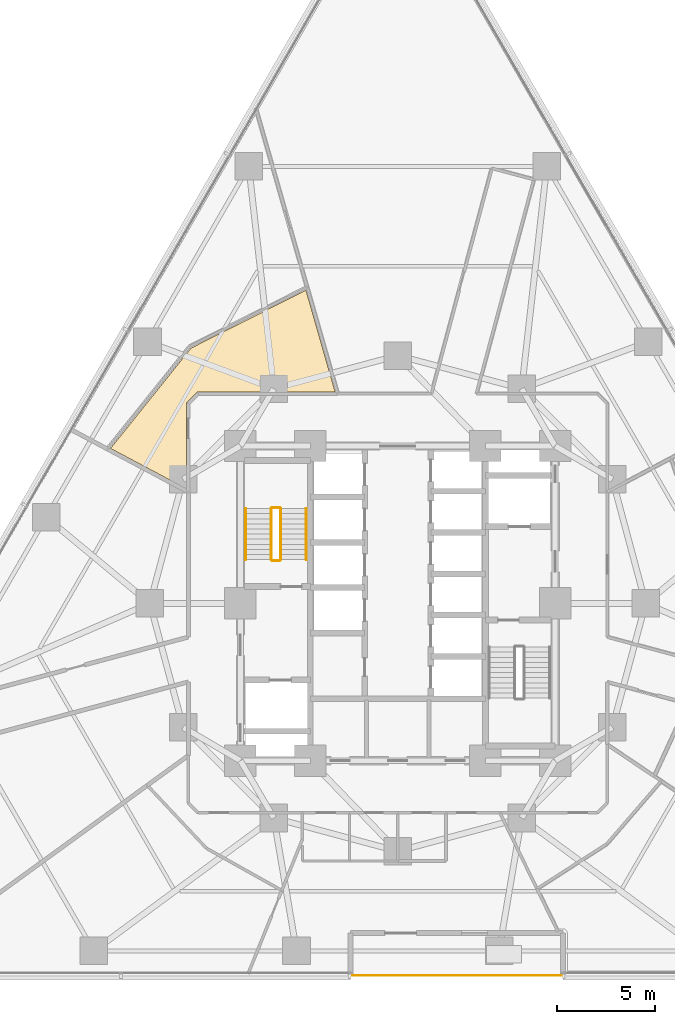
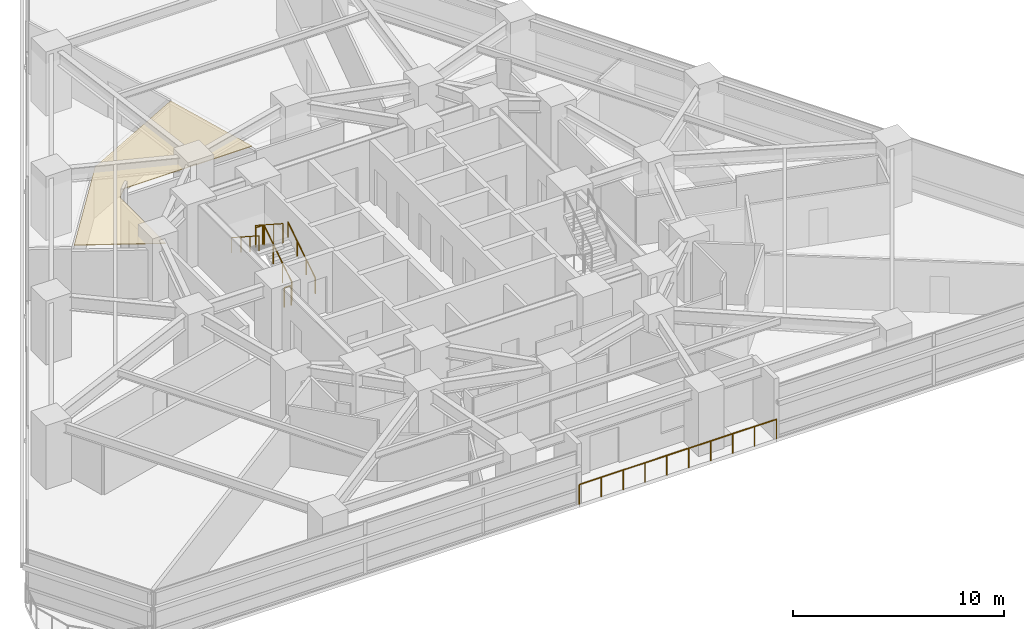
# One storey, part 14 of 16: 7 railings, 1 covering.
"""IFC4 building model written with IfcOpenShell, lengths in metres."""

from ifc_helpers import new_model, si_unit, direction, frame, origin, origin_2d, place, context, subcontext, project, spatial, polyline, circle, outline, extrude, material, layer, layer_set, type_object, element, save


model = new_model("IFC4")

# Units and contexts
model_context = context("Model", 3, precision=1e-05, world=origin(), true_north=direction((0.0, 1.0)))
body_context = subcontext(model_context, "Body", "Model", "MODEL_VIEW")
ifc_project = project(units=[si_unit("LENGTHUNIT", "METRE"), si_unit("AREAUNIT", "SQUARE_METRE"), si_unit("VOLUMEUNIT", "CUBIC_METRE"), si_unit("PLANEANGLEUNIT", "RADIAN"), si_unit("MASSUNIT", "GRAM", prefix="KILO")], contexts=[model_context])

# Site, building, storey
site_placement = place(None, origin())
site = spatial("IfcSite", under=ifc_project, at=site_placement, CompositionType="ELEMENT")
building_placement = place(site_placement, origin())
building = spatial("IfcBuilding", under=site, at=building_placement, Name="Terralouvre Media Tower", CompositionType="ELEMENT")
storey_placement = place(building_placement, frame((0.0, 0.0, 44.5)))
storey = spatial("IfcBuildingStorey", under=building, at=storey_placement, Name="L10", CompositionType="ELEMENT", Elevation=44.5)

# Covering
ifc_material_1 = material(Name="Perforated aluminium acoustic ceiling baffle", Category="aluminium")
ifc_layer_1 = layer(ifc_material_1, 0.0400390625, Name="Perforated Acoustic Metal Tile Ceiling CL-AC1")
ifc_layer_set_1 = layer_set([ifc_layer_1], Name="Perforated aluminium acoustic ceiling baffle")
covering_type = type_object("IfcCoveringType", Name="Perforated Acoustic Metal Tile Ceiling CL-AC1", PredefinedType="CEILING", material=ifc_layer_set_1)
covering_placement = place(storey_placement, frame((0.0, 0.0, 2.97998046875)))
element("IfcCovering", 1, at=covering_placement, inside=storey, type_object=covering_type, Name="L10 Technical Operations Control Room 12 Acoustic Ceiling", PredefinedType="CEILING", context=body_context, shape_type="SweptSolid", body=[
    extrude(outline(polyline([(-10.508544921875, 12.9765625), (-14.601318359375, 7.876708984375), (-10.75, 5.829345703125), (-10.75, 10.14990234375), (-10.74951171875, 10.159912109375), (-10.748046875, 10.16943359375), (-10.74560546875, 10.178955078125), (-10.742431640625, 10.188232421875), (-10.73828125, 10.197021484375), (-10.733154296875, 10.20556640625), (-10.727294921875, 10.21337890625), (-10.720703125, 10.220703125), (-10.220703125, 10.720703125), (-10.21337890625, 10.727294921875), (-10.20556640625, 10.733154296875), (-10.197021484375, 10.73828125), (-10.188232421875, 10.742431640625), (-10.178955078125, 10.74560546875), (-10.16943359375, 10.748046875), (-10.159912109375, 10.74951171875), (-10.14990234375, 10.75), (-3.186767578125, 10.75), (-4.668701171875, 15.91943359375), (-10.508544921875, 12.9765625)])), origin(), (0.0, 0.0, 1.0), 0.0400390625),
])

# Railings
ifc_material_2 = material(Name="Stainless steel 316 handrail and balustrade", Category="steel")
ifc_layer_2 = layer(ifc_material_2, 0.06005859375, Name="Roof Edge Safety Guardrail GR-ROOF1")
ifc_layer_set_2 = layer_set([ifc_layer_2], Name="Stainless steel 316 handrail and balustrade")
railing_type_1 = type_object("IfcRailingType", Name="Roof Edge Safety Guardrail GR-ROOF1", PredefinedType="GUARDRAIL", material=ifc_layer_set_2)
railing_1_placement = place(storey_placement, frame((-2.39990234375, -18.916748046875, 0.0)))
element("IfcRailing", 2, at=railing_1_placement, inside=storey, type_object=railing_type_1, Name="L10 SG Outer Edge Glass Balustrade", PredefinedType="GUARDRAIL", context=body_context, shape_type="SweptSolid", body=[
    extrude(circle(Radius=0.02392578125, at=origin_2d()), frame((0.0, 0.0, 1.1259765625), z_axis=(1.0, 0.0, 0.0), x_axis=(0.0, 1.0, 0.0)), (0.0, 0.0, 1.0), 10.7998046875),
    extrude(circle(Radius=0.02099609375, at=origin_2d()), origin(), (0.0, 0.0, 1.0), 1.101806640625),
    extrude(circle(Radius=0.02099609375, at=origin_2d()), frame((1.199951171875, 0.0, 0.0)), (0.0, 0.0, 1.0), 1.101806640625),
    extrude(circle(Radius=0.02099609375, at=origin_2d()), frame((2.39990234375, 0.0, 0.0)), (0.0, 0.0, 1.0), 1.101806640625),
    extrude(circle(Radius=0.02099609375, at=origin_2d()), frame((3.599853515625, 0.0, 0.0)), (0.0, 0.0, 1.0), 1.101806640625),
    extrude(circle(Radius=0.02099609375, at=origin_2d()), frame((4.7998046875, 0.0, 0.0)), (0.0, 0.0, 1.0), 1.101806640625),
    extrude(circle(Radius=0.02099609375, at=origin_2d()), frame((6.0, 0.0, 0.0)), (0.0, 0.0, 1.0), 1.101806640625),
    extrude(circle(Radius=0.02099609375, at=origin_2d()), frame((7.199951171875, 0.0, 0.0)), (0.0, 0.0, 1.0), 1.101806640625),
    extrude(circle(Radius=0.02099609375, at=origin_2d()), frame((8.39990234375, 0.0, 0.0)), (0.0, 0.0, 1.0), 1.101806640625),
    extrude(circle(Radius=0.02099609375, at=origin_2d()), frame((9.599853515625, 0.0, 0.0)), (0.0, 0.0, 1.0), 1.101806640625),
    extrude(circle(Radius=0.02099609375, at=origin_2d()), frame((10.7998046875, 0.0, 0.0)), (0.0, 0.0, 1.0), 1.101806640625),
])
ifc_material_3 = material(Name="Stainless steel 316 handrail and balustrade", Category="steel")
ifc_layer_3 = layer(ifc_material_3, 0.050048828125, Name="Stair Flight Wall Handrail HR-INT1")
ifc_layer_set_3 = layer_set([ifc_layer_3], Name="Stainless steel 316 handrail and balustrade")
railing_type_2 = type_object("IfcRailingType", Name="Stair Flight Wall Handrail HR-INT1", PredefinedType="HANDRAIL", material=ifc_layer_set_3)
railing_2_placement = place(storey_placement, frame((-4.64990234375, 2.219970703125, 0.168212890625)))
element("IfcRailing", 3, at=railing_2_placement, inside=storey, type_object=railing_type_2, Name="L10 ST-01 stair handrail 1", PredefinedType="HANDRAIL", context=body_context, shape_type="SweptSolid", body=[
    extrude(circle(Radius=0.02392578125, at=origin_2d()), frame((0.0, 0.0, 0.8759765625), z_axis=(0.0, 0.839648411786, 0.543130320075), x_axis=(-1.0, 0.0, 0.0)), (0.0, 0.0, 1.0), 3.0966796875),
    extrude(circle(Radius=0.02099609375, at=origin_2d()), origin(), (0.0, 0.0, 1.0), 0.851806640625),
    extrude(circle(Radius=0.02099609375, at=origin_2d()), frame((0.0, 0.86669921875, 0.560546875)), (0.0, 0.0, 1.0), 0.851806640625),
    extrude(circle(Radius=0.02099609375, at=origin_2d()), frame((0.0, 1.7333984375, 1.121337890625)), (0.0, 0.0, 1.0), 0.851806640625),
    extrude(circle(Radius=0.02099609375, at=origin_2d()), frame((0.0, 2.60009765625, 1.681884765625)), (0.0, 0.0, 1.0), 0.851806640625),
])
railing_3_placement = place(storey_placement, frame((-7.72998046875, 4.820068359375, 2.01806640625)))
element("IfcRailing", 4, at=railing_3_placement, inside=storey, type_object=railing_type_2, Name="L10 ST-01 stair handrail 2", PredefinedType="HANDRAIL", context=body_context, shape_type="SweptSolid", body=[
    extrude(circle(Radius=0.02392578125, at=origin_2d()), frame((0.0, 0.0, 0.8759765625), z_axis=(0.0, -0.839648411786, 0.543130320075), x_axis=(1.0, 0.0, 0.0)), (0.0, 0.0, 1.0), 3.0966796875),
    extrude(circle(Radius=0.02099609375, at=origin_2d()), origin(), (0.0, 0.0, 1.0), 0.851806640625),
    extrude(circle(Radius=0.02099609375, at=origin_2d()), frame((0.0, -0.86669921875, 0.560546875)), (0.0, 0.0, 1.0), 0.851806640625),
    extrude(circle(Radius=0.02099609375, at=origin_2d()), frame((0.0, -1.7333984375, 1.121337890625)), (0.0, 0.0, 1.0), 0.851806640625),
    extrude(circle(Radius=0.02099609375, at=origin_2d()), frame((0.0, -2.60009765625, 1.681884765625)), (0.0, 0.0, 1.0), 0.851806640625),
])
ifc_material_4 = material(Name="Stainless steel 316 handrail and balustrade", Category="steel")
ifc_layer_4 = layer(ifc_material_4, 0.050048828125, Name="Stairwell Safety Guardrail GR-INT1")
ifc_layer_set_4 = layer_set([ifc_layer_4], Name="Stainless steel 316 handrail and balustrade")
railing_type_3 = type_object("IfcRailingType", Name="Stairwell Safety Guardrail GR-INT1", PredefinedType="GUARDRAIL", material=ifc_layer_set_4)
railing_4_placement = place(storey_placement, frame((-5.949951171875, 2.219970703125, 0.168212890625)))
element("IfcRailing", 5, at=railing_4_placement, inside=storey, type_object=railing_type_3, Name="L10 ST-01 stair guard 1", PredefinedType="GUARDRAIL", context=body_context, shape_type="SweptSolid", body=[
    extrude(circle(Radius=0.02392578125, at=origin_2d()), frame((0.0, 0.0, 1.1259765625), z_axis=(0.0, 0.839648411786, 0.543130320075), x_axis=(-1.0, 0.0, 0.0)), (0.0, 0.0, 1.0), 3.0966796875),
    extrude(circle(Radius=0.02099609375, at=origin_2d()), origin(), (0.0, 0.0, 1.0), 1.101806640625),
    extrude(circle(Radius=0.02099609375, at=origin_2d()), frame((0.0, 0.86669921875, 0.560546875)), (0.0, 0.0, 1.0), 1.101806640625),
    extrude(circle(Radius=0.02099609375, at=origin_2d()), frame((0.0, 1.7333984375, 1.121337890625)), (0.0, 0.0, 1.0), 1.101806640625),
    extrude(circle(Radius=0.02099609375, at=origin_2d()), frame((0.0, 2.60009765625, 1.681884765625)), (0.0, 0.0, 1.0), 1.101806640625),
])
railing_5_placement = place(storey_placement, frame((-6.0, 4.8701171875, 1.85009765625)))
element("IfcRailing", 6, at=railing_5_placement, inside=storey, type_object=railing_type_3, Name="L10 ST-01 stair guard 2", PredefinedType="GUARDRAIL", context=body_context, shape_type="SweptSolid", body=[
    extrude(circle(Radius=0.02392578125, at=origin_2d()), frame((0.0, 0.0, 1.1259765625), z_axis=(-1.0, 0.0, 0.0), x_axis=(0.0, -1.0, 0.0)), (0.0, 0.0, 1.0), 0.3798828125),
    extrude(circle(Radius=0.02099609375, at=origin_2d()), origin(), (0.0, 0.0, 1.0), 1.101806640625),
    extrude(circle(Radius=0.02099609375, at=origin_2d()), frame((-0.3798828125, 0.0, 0.0)), (0.0, 0.0, 1.0), 1.101806640625),
])
railing_6_placement = place(storey_placement, frame((-6.429931640625, 4.820068359375, 2.01806640625)))
element("IfcRailing", 7, at=railing_6_placement, inside=storey, type_object=railing_type_3, Name="L10 ST-01 stair guard 3", PredefinedType="GUARDRAIL", context=body_context, shape_type="SweptSolid", body=[
    extrude(circle(Radius=0.02392578125, at=origin_2d()), frame((0.0, 0.0, 1.1259765625), z_axis=(0.0, -0.839648411786, 0.543130320075), x_axis=(1.0, 0.0, 0.0)), (0.0, 0.0, 1.0), 3.0966796875),
    extrude(circle(Radius=0.02099609375, at=origin_2d()), origin(), (0.0, 0.0, 1.0), 1.101806640625),
    extrude(circle(Radius=0.02099609375, at=origin_2d()), frame((0.0, -0.86669921875, 0.560546875)), (0.0, 0.0, 1.0), 1.101806640625),
    extrude(circle(Radius=0.02099609375, at=origin_2d()), frame((0.0, -1.7333984375, 1.121337890625)), (0.0, 0.0, 1.0), 1.101806640625),
    extrude(circle(Radius=0.02099609375, at=origin_2d()), frame((0.0, -2.60009765625, 1.681884765625)), (0.0, 0.0, 1.0), 1.101806640625),
])
railing_7_placement = place(storey_placement, frame((-6.0, 2.169921875, 0.0)))
element("IfcRailing", 8, at=railing_7_placement, inside=storey, type_object=railing_type_3, Name="L10 ST-01 stair guard 4", PredefinedType="GUARDRAIL", context=body_context, shape_type="SweptSolid", body=[
    extrude(circle(Radius=0.02392578125, at=origin_2d()), frame((0.0, 0.0, 1.1259765625), z_axis=(-1.0, 0.0, 0.0), x_axis=(0.0, -1.0, 0.0)), (0.0, 0.0, 1.0), 0.3798828125),
    extrude(circle(Radius=0.02099609375, at=origin_2d()), origin(), (0.0, 0.0, 1.0), 1.101806640625),
    extrude(circle(Radius=0.02099609375, at=origin_2d()), frame((-0.3798828125, 0.0, 0.0)), (0.0, 0.0, 1.0), 1.101806640625),
])

save(model, "model.ifc")
